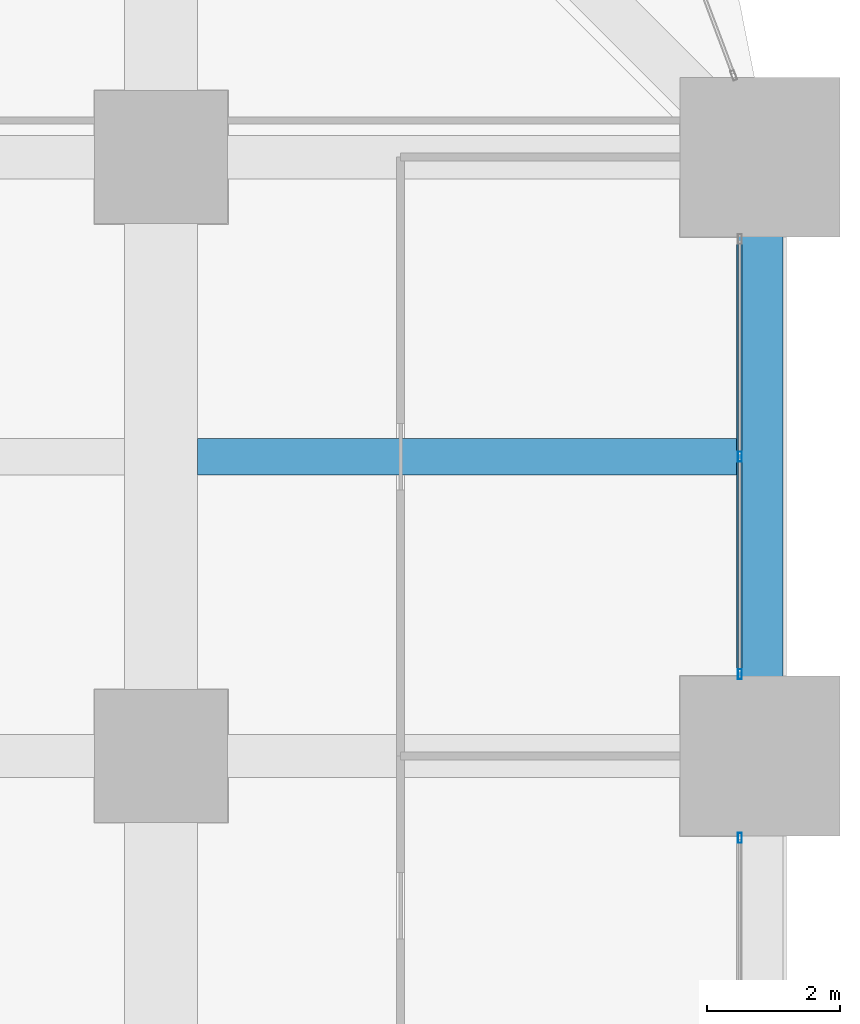
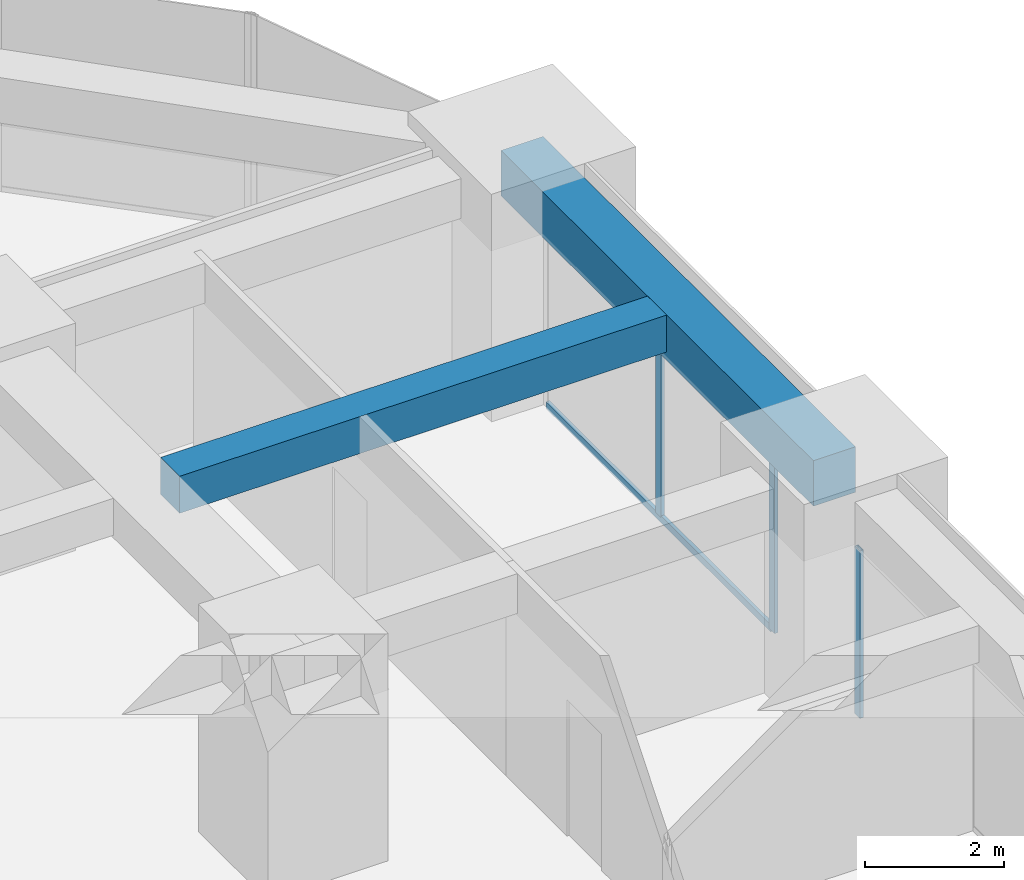
# One storey, part 23 of 41: 4 members, 2 beams, 2 elements without a shape of their own.
"""IFC4 building model written with IfcOpenShell, lengths in metres."""

from ifc_helpers import new_model, si_unit, direction, frame, origin, origin_2d, place, context, subcontext, project, spatial, rectangle, hollow_rectangle, extrude, material, material_profile, profile_set, type_object, element, aggregate, save


model = new_model("IFC4")

# Units and contexts
model_context = context("Model", 3, precision=1e-05, world=origin(), true_north=direction((0.0, 1.0)))
body_context = subcontext(model_context, "Body", "Model", "MODEL_VIEW")
ifc_project = project(units=[si_unit("LENGTHUNIT", "METRE"), si_unit("AREAUNIT", "SQUARE_METRE"), si_unit("VOLUMEUNIT", "CUBIC_METRE"), si_unit("PLANEANGLEUNIT", "RADIAN"), si_unit("MASSUNIT", "GRAM", prefix="KILO")], contexts=[model_context])

# Site, building, storey
site_placement = place(None, origin())
site = spatial("IfcSite", under=ifc_project, at=site_placement, CompositionType="ELEMENT")
building_placement = place(site_placement, origin())
building = spatial("IfcBuilding", under=site, at=building_placement, Name="Zorevar Civic Tower", CompositionType="ELEMENT")
storey_placement = place(building_placement, frame((0.0, 0.0, 113.0)))
storey = spatial("IfcBuildingStorey", under=building, at=storey_placement, Name="L27", CompositionType="ELEMENT", Elevation=113.0)

# Beam
ifc_material_1 = material(Name="Concrete C50/60", Category="concrete")
ifc_material_profile_1 = material_profile(ifc_material_1, rectangle(XDim=0.550048828125, YDim=0.64990234375, at=origin_2d()), Name="RC 550x650")
ifc_profile_set_1 = profile_set([ifc_material_profile_1], Name="Concrete C50/60")
beam_type_1 = type_object("IfcBeamType", Name="Beam RC 550x650", PredefinedType="BEAM", material=ifc_profile_set_1)
beam_1_placement = place(storey_placement, frame((54.550048828125, 31.5, 3.425048828125), z_axis=(1.0, 0.0, 0.0), x_axis=(0.0, 1.0, 0.0)))
element("IfcBeam", 1, at=beam_1_placement, inside=storey, type_object=beam_type_1, Name="Secondary beam L28", PredefinedType="BEAM", context=body_context, shape_type="SweptSolid", body=[
    extrude(rectangle(XDim=0.550048828125, YDim=0.64990234375, at=origin_2d()), origin(), (0.0, 0.0, 1.0), 8.099853515625),
])

# Curtain wall, member
ifc_material_2 = material(Name="Dark grey solar-control glass in black aluminium frame", Category="aluminium")
curtain_wall_type = type_object("IfcCurtainWallType", Name="Curtain wall CW3 mid zone", PredefinedType="NOTDEFINED", material=ifc_material_2)
curtain_wall_1_placement = place(storey_placement, origin())
curtain_wall_1 = element("IfcCurtainWall", 2, at=curtain_wall_1_placement, inside=storey, type_object=curtain_wall_type, Name="CW3 L27", PredefinedType="NOTDEFINED")
ifc_material_3 = material(Name="Aluminium, black anodised", Category="aluminium")
ifc_material_profile_2 = material_profile(ifc_material_3, hollow_rectangle(XDim=0.06005859375, YDim=0.14990234375, WallThickness=0.00390625, at=origin_2d()), Name="AL 150x60x4")
ifc_profile_set_2 = profile_set([ifc_material_profile_2], Name="Aluminium, black anodised")
member_type_1 = type_object("IfcMemberType", Name="CW3 mullion AL 150x60x4", PredefinedType="MULLION", material=ifc_profile_set_2)
member_1_placement = place(storey_placement, frame((62.699951171875, 25.77001953125, 0.0), z_axis=(0.0, 0.0, 1.0), x_axis=(-1.0, 0.0, 0.0)))
member_1 = element("IfcMember", 3, at=member_1_placement, type_object=member_type_1, Name="CW3 mullion 3", PredefinedType="MULLION", context=body_context, shape_type="SweptSolid", body=[
    extrude(hollow_rectangle(XDim=0.06005859375, YDim=0.14990234375, WallThickness=0.00390625, at=origin_2d()), origin(), (0.0, 0.0, 1.0), 2.949951171875),
])
aggregate(curtain_wall_1, [member_1])

# Curtain wall, members
curtain_wall_2_placement = place(storey_placement, origin())
curtain_wall_2 = element("IfcCurtainWall", 4, at=curtain_wall_2_placement, inside=storey, type_object=curtain_wall_type, Name="CW3 L27", PredefinedType="NOTDEFINED")
member_2_placement = place(storey_placement, frame((62.699951171875, 28.22998046875, 0.0), z_axis=(0.0, 0.0, 1.0), x_axis=(-1.0, 0.0, 0.0)))
member_2 = element("IfcMember", 5, at=member_2_placement, type_object=member_type_1, Name="CW3 mullion 1", PredefinedType="MULLION", context=body_context, shape_type="SweptSolid", body=[
    extrude(hollow_rectangle(XDim=0.06005859375, YDim=0.14990234375, WallThickness=0.00390625, at=origin_2d()), origin(), (0.0, 0.0, 1.0), 2.949951171875),
])
member_3_placement = place(storey_placement, frame((62.699951171875, 31.5, 0.06005859375), z_axis=(0.0, 0.0, 1.0), x_axis=(-1.0, 0.0, 0.0)))
member_3 = element("IfcMember", 6, at=member_3_placement, type_object=member_type_1, Name="CW3 mullion 2", PredefinedType="MULLION", context=body_context, shape_type="SweptSolid", body=[
    extrude(hollow_rectangle(XDim=0.06005859375, YDim=0.14990234375, WallThickness=0.00390625, at=origin_2d()), origin(), (0.0, 0.0, 1.0), 2.889892578125),
])
ifc_material_4 = material(Name="Aluminium, black anodised", Category="aluminium")
ifc_material_profile_3 = material_profile(ifc_material_4, hollow_rectangle(XDim=0.06005859375, YDim=0.1201171875, WallThickness=0.0029296875, at=origin_2d()), Name="AL 120x60x3")
ifc_profile_set_3 = profile_set([ifc_material_profile_3], Name="Aluminium, black anodised")
member_type_2 = type_object("IfcMemberType", Name="CW3 transom AL 120x60x3", PredefinedType="USERDEFINED", material=ifc_profile_set_3)
member_4_placement = place(storey_placement, frame((62.699951171875, 28.260009765625, 0.030029296875), z_axis=(0.0, 1.0, 0.0), x_axis=(-1.0, 0.0, 0.0)))
member_4 = element("IfcMember", 7, at=member_4_placement, type_object=member_type_2, Name="CW3 sill transom", ObjectType="TRANSOM", PredefinedType="USERDEFINED", context=body_context, shape_type="SweptSolid", body=[
    extrude(hollow_rectangle(XDim=0.06005859375, YDim=0.1201171875, WallThickness=0.0029296875, at=origin_2d()), origin(), (0.0, 0.0, 1.0), 6.47998046875),
])
aggregate(curtain_wall_2, [member_2, member_3, member_4])

# Beam
ifc_material_5 = material(Name="Concrete C50/60", Category="concrete")
ifc_material_profile_4 = material_profile(ifc_material_5, rectangle(XDim=0.699951171875, YDim=0.800048828125, at=origin_2d()), Name="RC 700x800")
ifc_profile_set_4 = profile_set([ifc_material_profile_4], Name="Concrete C50/60")
beam_type_2 = type_object("IfcBeamType", Name="Edge beam RC 700x800", PredefinedType="SPANDREL", material=ifc_profile_set_4)
beam_2_placement = place(storey_placement, frame((63.0, 27.0, 3.35009765625), z_axis=(0.0, 1.0, 0.0), x_axis=(-1.0, 0.0, 0.0)))
element("IfcBeam", 8, at=beam_2_placement, inside=storey, type_object=beam_type_2, Name="Edge beam L28", PredefinedType="SPANDREL", context=body_context, shape_type="SweptSolid", body=[
    extrude(rectangle(XDim=0.699951171875, YDim=0.800048828125, at=origin_2d()), origin(), (0.0, 0.0, 1.0), 9.0),
])

save(model, "model.ifc")
